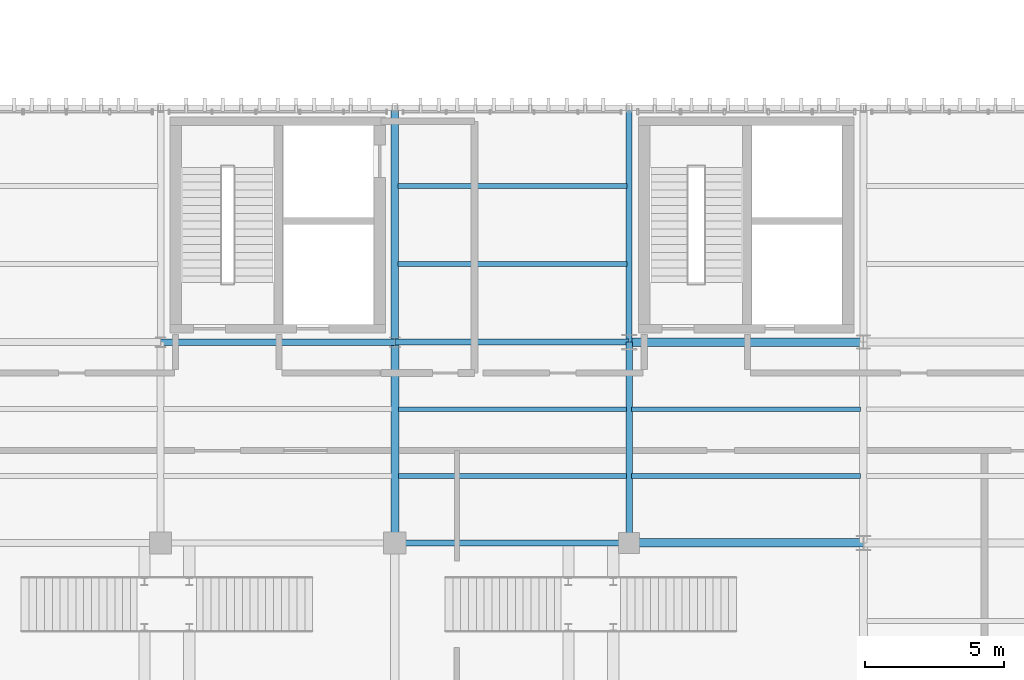
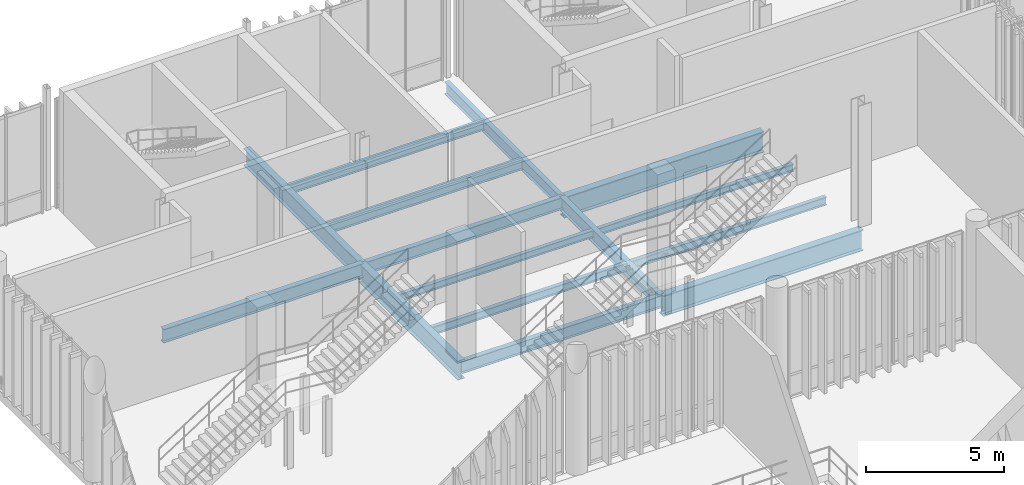
# One storey, part 31 of 128: 15 beams.
"""IFC4 building model written with IfcOpenShell, lengths in metres."""

from ifc_helpers import new_model, si_unit, direction, frame, origin_with_axes, origin_2d_with_axis, place, context, subcontext, project, spatial, i_section, extrude, material, material_profile, profile_set, type_object, element, save


model = new_model("IFC4")

# Units and contexts
model_context = context("Model", 3, precision=1e-05, world=origin_with_axes(), true_north=direction((0.0, 1.0)))
body_context = subcontext(model_context, "Body", "Model", "MODEL_VIEW")
ifc_project = project(units=[si_unit("LENGTHUNIT", "METRE"), si_unit("AREAUNIT", "SQUARE_METRE"), si_unit("VOLUMEUNIT", "CUBIC_METRE"), si_unit("PLANEANGLEUNIT", "RADIAN"), si_unit("MASSUNIT", "GRAM", prefix="KILO"), si_unit("THERMODYNAMICTEMPERATUREUNIT", "KELVIN")], contexts=[model_context])

# Site, building, storey
site_placement = place(None, origin_with_axes())
site = spatial("IfcSite", under=ifc_project, at=site_placement, CompositionType="ELEMENT")
building_placement = place(site_placement, origin_with_axes())
building = spatial("IfcBuilding", under=site, at=building_placement, Name="Montbau Bow Law Courts", CompositionType="ELEMENT")
storey_placement = place(building_placement, frame((0.0, 0.0, 5.4), z_axis=(0.0, 0.0, 1.0), x_axis=(1.0, 0.0, 0.0)))
storey = spatial("IfcBuildingStorey", under=building, at=storey_placement, Name="L01", CompositionType="ELEMENT", Elevation=5.4)

# Beams
ifc_material = material(Name="Steel CSA G40.21 Grade 350W (350 MPa)", Category="steel")
ifc_material_profile_1 = material_profile(ifc_material, i_section(OverallWidth=0.306, OverallDepth=0.919, WebThickness=0.0173, FlangeThickness=0.0279, at=origin_2d_with_axis()), Name="W920X253", Category="Main", Priority=0)
ifc_profile_set_1 = profile_set([ifc_material_profile_1], Name="Steel CSA G40.21 Grade 350W (350 MPa)")
beam_type_1 = type_object("IfcBeamType", Name="B-FLR-01", PredefinedType="BEAM", material=ifc_profile_set_1)
for number, where, z_axis, x_axis, name in (
    (1, (30.6, 39.0, 4.7), (1.0, 0.0, 0.0), (0.0, 1.0, 0.0), "BM-L01-S0522:bm2_0525"),
    (2, (30.6, 46.2, 4.7), (1.0, 0.0, 0.0), (0.0, 1.0, 0.0), "BM-L01-S0527:bm2_0530"),
):
    element("IfcBeam", number, at=place(None, frame(where, z_axis=z_axis, x_axis=x_axis)), inside=storey, type_object=beam_type_1, Name=name, PredefinedType="BEAM", context=body_context, shape_type="SweptSolid", body=[
        extrude(i_section(OverallWidth=0.306, OverallDepth=0.919, WebThickness=0.0173, FlangeThickness=0.0279, at=origin_2d_with_axis()), origin_with_axes(), (0.0, 0.0, 1.0), 8.4),
    ])
ifc_material_profile_2 = material_profile(ifc_material, i_section(OverallWidth=0.293, OverallDepth=0.846, WebThickness=0.0154, FlangeThickness=0.0244, at=origin_2d_with_axis()), Name="W840X210", Category="Main", Priority=0)
ifc_profile_set_2 = profile_set([ifc_material_profile_2], Name="Steel CSA G40.21 Grade 350W (350 MPa)")
beam_type_2 = type_object("IfcBeamType", Name="B-FLR-02", PredefinedType="BEAM", material=ifc_profile_set_2)
beam_1_placement = place(None, frame((22.2, 39.0, 4.737), z_axis=(0.0, 1.0, 0.0), x_axis=(-1.0, 0.0, 0.0)))
element("IfcBeam", 3, at=beam_1_placement, inside=storey, type_object=beam_type_2, Name="BM-L01-S0540:bm2_0543", PredefinedType="BEAM", context=body_context, shape_type="SweptSolid", body=[
    extrude(i_section(OverallWidth=0.293, OverallDepth=0.846, WebThickness=0.0154, FlangeThickness=0.0244, at=origin_2d_with_axis()), origin_with_axes(), (0.0, 0.0, 1.0), 7.2),
])
ifc_material_profile_3 = material_profile(ifc_material, i_section(OverallWidth=0.267, OverallDepth=0.766, WebThickness=0.0149, FlangeThickness=0.0236, at=origin_2d_with_axis()), Name="W760X185", Category="Main", Priority=0)
ifc_profile_set_3 = profile_set([ifc_material_profile_3], Name="Steel CSA G40.21 Grade 350W (350 MPa)")
beam_type_3 = type_object("IfcBeamType", Name="B-FLR-03", PredefinedType="BEAM", material=ifc_profile_set_3)
beam_2_placement = place(None, frame((22.2, 46.2, 4.777), z_axis=(0.0, 1.0, 0.0), x_axis=(-1.0, 0.0, 0.0)))
element("IfcBeam", 4, at=beam_2_placement, inside=storey, type_object=beam_type_3, Name="BM-L01-S0541:bm2_0544", PredefinedType="BEAM", context=body_context, shape_type="SweptSolid", body=[
    extrude(i_section(OverallWidth=0.267, OverallDepth=0.766, WebThickness=0.0149, FlangeThickness=0.0236, at=origin_2d_with_axis()), origin_with_axes(), (0.0, 0.0, 1.0), 8.4),
])
ifc_material_profile_4 = material_profile(ifc_material, i_section(OverallWidth=0.229, OverallDepth=0.612, WebThickness=0.0119, FlangeThickness=0.0196, at=origin_2d_with_axis()), Name="W610X125", Category="Main", Priority=0)
ifc_profile_set_4 = profile_set([ifc_material_profile_4], Name="Steel CSA G40.21 Grade 350W (350 MPa)")
beam_type_4 = type_object("IfcBeamType", Name="B-FLR-05", PredefinedType="BEAM", material=ifc_profile_set_4)
beam_3_placement = place(None, frame((13.8, 46.2, 4.854), z_axis=(1.0, 0.0, 0.0), x_axis=(0.0, 1.0, 0.0)))
element("IfcBeam", 5, at=beam_3_placement, inside=storey, type_object=beam_type_4, Name="BM-L01-S0525:bm2_0528", PredefinedType="BEAM", context=body_context, shape_type="SweptSolid", body=[
    extrude(i_section(OverallWidth=0.229, OverallDepth=0.612, WebThickness=0.0119, FlangeThickness=0.0196, at=origin_2d_with_axis()), origin_with_axes(), (0.0, 0.0, 1.0), 8.4),
])
beam_4_placement = place(None, frame((30.6, 39.0, 4.854), z_axis=(0.0, 1.0, 0.0), x_axis=(-1.0, 0.0, 0.0)))
element("IfcBeam", 6, at=beam_4_placement, inside=storey, type_object=beam_type_4, Name="BM-L01-S0542:bm2_0545", PredefinedType="BEAM", context=body_context, shape_type="SweptSolid", body=[
    extrude(i_section(OverallWidth=0.229, OverallDepth=0.612, WebThickness=0.0119, FlangeThickness=0.0196, at=origin_2d_with_axis()), origin_with_axes(), (0.0, 0.0, 1.0), 7.2),
])
ifc_material_profile_5 = material_profile(ifc_material, i_section(OverallWidth=0.21, OverallDepth=0.537, WebThickness=0.0109, FlangeThickness=0.0174, at=origin_2d_with_axis()), Name="W530X101", Category="Main", Priority=0)
ifc_profile_set_5 = profile_set([ifc_material_profile_5], Name="Steel CSA G40.21 Grade 350W (350 MPa)")
beam_type_5 = type_object("IfcBeamType", Name="B-FLR-06", PredefinedType="BEAM", material=ifc_profile_set_5)
for number, where, z_axis, x_axis, name in (
    (7, (22.2, 39.0, 4.891), (1.0, 0.0, 0.0), (0.0, 1.0, 0.0), "BM-L01-S0521:bm2_0524"),
    (8, (22.2, 46.2, 4.891), (1.0, 0.0, 0.0), (0.0, 1.0, 0.0), "BM-L01-S0526:bm2_0529"),
    (9, (30.6, 46.2, 4.891), (0.0, 1.0, 0.0), (-1.0, 0.0, 0.0), "BM-L01-S0543:bm2_0546"),
):
    element("IfcBeam", number, at=place(None, frame(where, z_axis=z_axis, x_axis=x_axis)), inside=storey, type_object=beam_type_5, Name=name, PredefinedType="BEAM", context=body_context, shape_type="SweptSolid", body=[
        extrude(i_section(OverallWidth=0.21, OverallDepth=0.537, WebThickness=0.0109, FlangeThickness=0.0174, at=origin_2d_with_axis()), origin_with_axes(), (0.0, 0.0, 1.0), 8.4),
    ])
ifc_material_profile_6 = material_profile(ifc_material, i_section(OverallWidth=0.191, OverallDepth=0.46, WebThickness=0.0099, FlangeThickness=0.016, at=origin_2d_with_axis()), Name="W460X82", Category="Main", Priority=0)
ifc_profile_set_6 = profile_set([ifc_material_profile_6], Name="Steel CSA G40.21 Grade 350W (350 MPa)")
beam_type_6 = type_object("IfcBeamType", Name="B-JST-01", PredefinedType="JOIST", material=ifc_profile_set_6)
beam_5_placement = place(None, frame((22.309, 49.0, 4.93), z_axis=(1.0, 0.0, 0.0), x_axis=(0.0, 1.0, 0.0)))
element("IfcBeam", 10, at=beam_5_placement, inside=storey, type_object=beam_type_6, Name="JST-L01-S0256:jst2_0256", PredefinedType="JOIST", context=body_context, shape_type="SweptSolid", body=[
    extrude(i_section(OverallWidth=0.191, OverallDepth=0.46, WebThickness=0.0099, FlangeThickness=0.016, at=origin_2d_with_axis()), origin_with_axes(), (0.0, 0.0, 1.0), 8.21),
])
ifc_material_profile_7 = material_profile(ifc_material, i_section(OverallWidth=0.179, OverallDepth=0.41, WebThickness=0.0088, FlangeThickness=0.0144, at=origin_2d_with_axis()), Name="W410X67", Category="Main", Priority=0)
ifc_profile_set_7 = profile_set([ifc_material_profile_7], Name="Steel CSA G40.21 Grade 350W (350 MPa)")
beam_type_7 = type_object("IfcBeamType", Name="B-JST-02", PredefinedType="JOIST", material=ifc_profile_set_7)
beam_6_placement = place(None, frame((22.309, 51.8, 4.955), z_axis=(1.0, 0.0, 0.0), x_axis=(0.0, 1.0, 0.0)))
element("IfcBeam", 11, at=beam_6_placement, inside=storey, type_object=beam_type_7, Name="JST-L01-S0257:jst2_0257", PredefinedType="JOIST", context=body_context, shape_type="SweptSolid", body=[
    extrude(i_section(OverallWidth=0.179, OverallDepth=0.41, WebThickness=0.0088, FlangeThickness=0.0144, at=origin_2d_with_axis()), origin_with_axes(), (0.0, 0.0, 1.0), 8.21),
])
ifc_material_profile_8 = material_profile(ifc_material, i_section(OverallWidth=0.172, OverallDepth=0.358, WebThickness=0.0079, FlangeThickness=0.0131, at=origin_2d_with_axis()), Name="W360X57", Category="Main", Priority=0)
ifc_profile_set_8 = profile_set([ifc_material_profile_8], Name="Steel CSA G40.21 Grade 350W (350 MPa)")
beam_type_8 = type_object("IfcBeamType", Name="B-JST-03", PredefinedType="JOIST", material=ifc_profile_set_8)
beam_7_placement = place(None, frame((22.322, 41.4, 4.981), z_axis=(1.0, 0.0, 0.0), x_axis=(0.0, 1.0, 0.0)))
element("IfcBeam", 12, at=beam_7_placement, inside=storey, type_object=beam_type_8, Name="JST-L01-S0254:jst2_0254", PredefinedType="JOIST", context=body_context, shape_type="SweptSolid", body=[
    extrude(i_section(OverallWidth=0.172, OverallDepth=0.358, WebThickness=0.0079, FlangeThickness=0.0131, at=origin_2d_with_axis()), origin_with_axes(), (0.0, 0.0, 1.0), 8.188),
])
beam_8_placement = place(None, frame((30.691, 41.4, 4.981), z_axis=(1.0, 0.0, 0.0), x_axis=(0.0, 1.0, 0.0)))
element("IfcBeam", 13, at=beam_8_placement, inside=storey, type_object=beam_type_8, Name="JST-L01-S0258:jst2_0258", PredefinedType="JOIST", context=body_context, shape_type="SweptSolid", body=[
    extrude(i_section(OverallWidth=0.172, OverallDepth=0.358, WebThickness=0.0079, FlangeThickness=0.0131, at=origin_2d_with_axis()), origin_with_axes(), (0.0, 0.0, 1.0), 8.2),
])
ifc_material_profile_9 = material_profile(ifc_material, i_section(OverallWidth=0.166, OverallDepth=0.313, WebThickness=0.0066, FlangeThickness=0.0112, at=origin_2d_with_axis()), Name="W310X45", Category="Main", Priority=0)
ifc_profile_set_9 = profile_set([ifc_material_profile_9], Name="Steel CSA G40.21 Grade 350W (350 MPa)")
beam_type_9 = type_object("IfcBeamType", Name="B-JST-04", PredefinedType="JOIST", material=ifc_profile_set_9)
beam_9_placement = place(None, frame((22.322, 43.8, 5.003), z_axis=(1.0, 0.0, 0.0), x_axis=(0.0, 1.0, 0.0)))
element("IfcBeam", 14, at=beam_9_placement, inside=storey, type_object=beam_type_9, Name="JST-L01-S0255:jst2_0255", PredefinedType="JOIST", context=body_context, shape_type="SweptSolid", body=[
    extrude(i_section(OverallWidth=0.166, OverallDepth=0.313, WebThickness=0.0066, FlangeThickness=0.0112, at=origin_2d_with_axis()), origin_with_axes(), (0.0, 0.0, 1.0), 8.188),
])
beam_10_placement = place(None, frame((30.691, 43.8, 5.003), z_axis=(1.0, 0.0, 0.0), x_axis=(0.0, 1.0, 0.0)))
element("IfcBeam", 15, at=beam_10_placement, inside=storey, type_object=beam_type_9, Name="JST-L01-S0259:jst2_0259", PredefinedType="JOIST", context=body_context, shape_type="SweptSolid", body=[
    extrude(i_section(OverallWidth=0.166, OverallDepth=0.313, WebThickness=0.0066, FlangeThickness=0.0112, at=origin_2d_with_axis()), origin_with_axes(), (0.0, 0.0, 1.0), 8.2),
])

save(model, "model.ifc")
